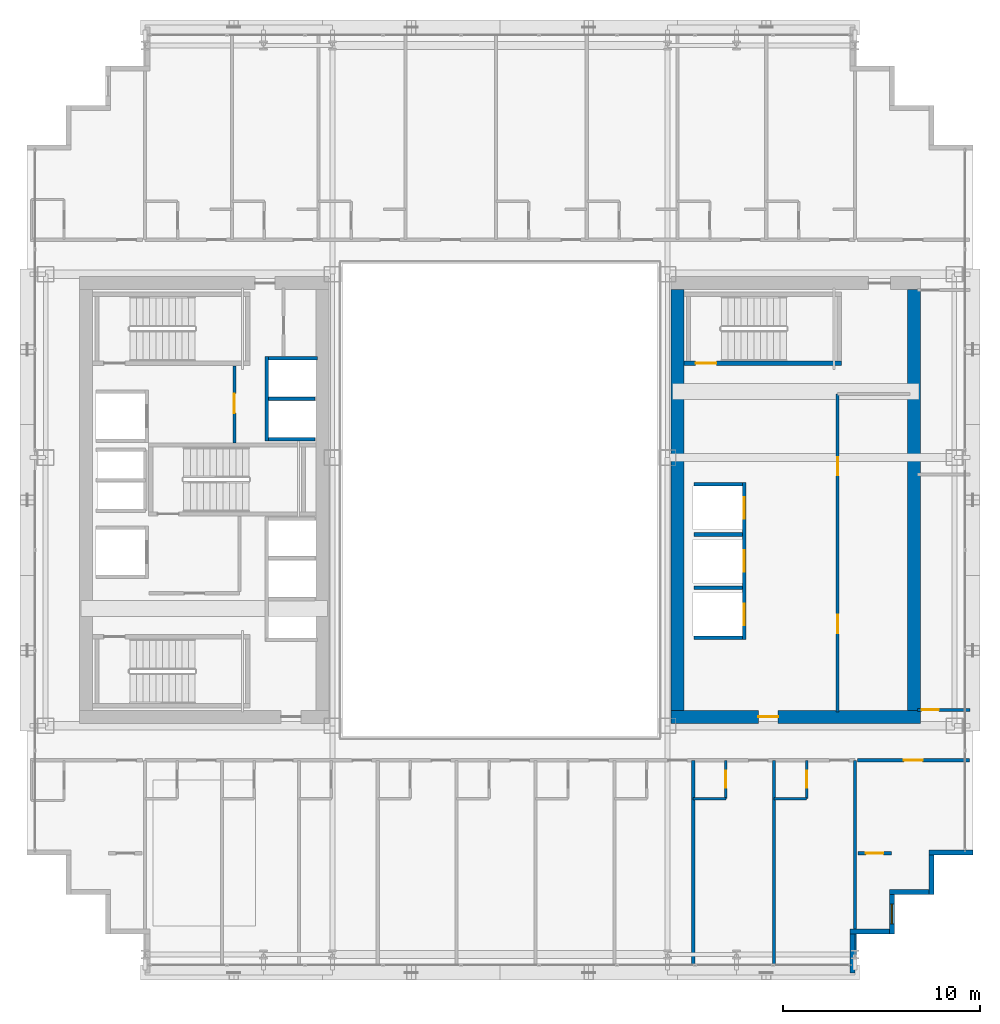
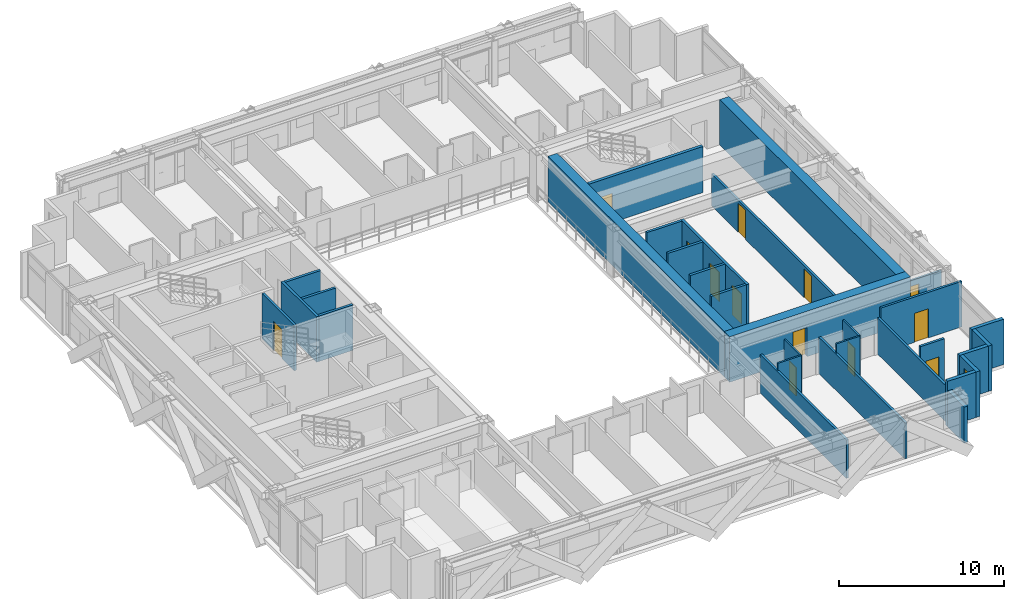
# One storey, part 29 of 36: 31 walls, 13 doors, 1 window, 14 openings.
"""IFC4 building model written with IfcOpenShell, lengths in metres."""

import ifcopenshell
import ifcopenshell.guid

model = None  # the IFC model being written
_history = None  # IfcOwnerHistory: only IFC2X3 demands one
_inside = {}  # id of a spatial element -> (the spatial element, [elements in it])
_under = {}  # id of a project, library or spatial element -> (it, [spatial elements below it])
_declared = {}  # id of a project -> (the project, [libraries it declares])
_typed = {}  # id of a type object -> (the type object, [elements of that type])
_made_of = {}  # id of a material, layer set ... -> (it, [elements and type objects made of it])


def new_model(schema):
    """Start an empty IFC model of exactly this schema.

    Asked for "IFC4X3", IfcOpenShell would pick the latest addendum, in which some entities
    have other attributes; the version numbers below select the first issue.
    IFC2X3 requires an IfcOwnerHistory on every rooted entity: one is made here for all.
    """
    global model, _history
    if schema == "IFC4X3":
        model = ifcopenshell.file(schema_version=(4, 3, 0, 0))
    else:
        model = ifcopenshell.file(schema=schema)
    _inside.clear()
    _under.clear()
    _declared.clear()
    _typed.clear()
    _made_of.clear()
    _history = None
    if model.schema == "IFC2X3":
        org = make("IfcOrganization", Name="unknown")
        user = make(
            "IfcPersonAndOrganization",
            ThePerson=make("IfcPerson", FamilyName="unknown"),
            TheOrganization=org,
        )
        app = make(
            "IfcApplication",
            ApplicationDeveloper=org,
            Version="unknown",
            ApplicationFullName="unknown",
            ApplicationIdentifier="unknown",
        )
        _history = make(
            "IfcOwnerHistory",
            OwningUser=user,
            OwningApplication=app,
            ChangeAction="ADDED",
            CreationDate=0,
        )
    return model


def make(cls, **values):
    """One entity of the class cls with the attributes given. An attribute that is None is left unset."""
    return model.create_entity(
        cls, **{name: value for name, value in values.items() if value is not None}
    )


def rooted(cls, **values):
    """An entity with a GlobalId (a new one), such as an element, a storey or a relation."""
    return make(cls, GlobalId=ifcopenshell.guid.new(), OwnerHistory=_history, **values)


def si_unit(unit_type, name, prefix=None):
    """IfcSIUnit, for example si_unit("LENGTHUNIT", "METRE", prefix="MILLI")."""
    return make("IfcSIUnit", UnitType=unit_type, Prefix=prefix, Name=name)


def assignment(units):
    """IfcUnitAssignment: the units of a project."""
    return None if units is None else make("IfcUnitAssignment", Units=units)


def point(xyz):
    """IfcCartesianPoint."""
    return None if xyz is None else make("IfcCartesianPoint", Coordinates=xyz)


def direction(xyz):
    """IfcDirection."""
    return None if xyz is None else make("IfcDirection", DirectionRatios=xyz)


def frame(location, z_axis=None, x_axis=None):
    """IfcAxis2Placement3D, a coordinate frame: its origin and axes. An axis left out is left unset."""
    return make(
        "IfcAxis2Placement3D",
        Location=point(location),
        Axis=direction(z_axis),
        RefDirection=direction(x_axis),
    )


def frame_2d(location, x_axis=None):
    """IfcAxis2Placement2D, a coordinate frame in the plane: its origin and x axis."""
    return make(
        "IfcAxis2Placement2D", Location=point(location), RefDirection=direction(x_axis)
    )


def origin():
    """The frame at (0, 0, 0) with its axes left unset."""
    return frame((0.0, 0.0, 0.0))


def place(relative_to, where):
    """IfcLocalPlacement: puts the frame where relative to a parent placement (None: the world)."""
    return make(
        "IfcLocalPlacement", PlacementRelTo=relative_to, RelativePlacement=where
    )


def context(
    kind, dimensions, precision=None, world=None, true_north=None, identifier=None
):
    """IfcGeometricRepresentationContext, for example the 3D "Model" context."""
    return make(
        "IfcGeometricRepresentationContext",
        ContextIdentifier=identifier,
        ContextType=kind,
        CoordinateSpaceDimension=dimensions,
        Precision=precision,
        WorldCoordinateSystem=world,
        TrueNorth=true_north,
    )


def subcontext(parent, identifier, kind, view, scale=None):
    """IfcGeometricRepresentationSubContext, for example "Body" below "Model"."""
    return make(
        "IfcGeometricRepresentationSubContext",
        ContextIdentifier=identifier,
        ContextType=kind,
        ParentContext=parent,
        TargetScale=scale,
        TargetView=view,
    )


def project(units=None, contexts=None):
    """IfcProject with its units and contexts."""
    return rooted(
        "IfcProject",
        Name="project",
        RepresentationContexts=contexts,
        UnitsInContext=assignment(units),
    )


def spatial(cls, under=None, at=None, **own):
    """A site, building, storey or space (cls), placed at a placement, below another one or the project."""
    s = rooted(cls, ObjectPlacement=at, **own)
    if under is not None:
        _under.setdefault(under.id(), (under, []))[1].append(s)
    return s


def profile(cls, at=None, kind="AREA", **sizes):
    """A parametric profile (cls). Its sizes go by their IFC names, for example OverallWidth=200.0."""
    return make(cls, ProfileType=kind, Position=at, **sizes)


def rectangle(**sizes):
    """IfcRectangleProfileDef."""
    return profile("IfcRectangleProfileDef", **sizes)


def extrude(swept, where, along, depth):
    """IfcExtrudedAreaSolid: the profile swept, set in the frame where, extruded along a direction by depth."""
    return make(
        "IfcExtrudedAreaSolid",
        SweptArea=swept,
        Position=where,
        ExtrudedDirection=direction(along),
        Depth=depth,
    )


def shape(context_of_items, identifier, shape_type, items):
    """IfcShapeRepresentation: the items that make up one representation, for example the "Body"."""
    return make(
        "IfcShapeRepresentation",
        ContextOfItems=context_of_items,
        RepresentationIdentifier=identifier,
        RepresentationType=shape_type,
        Items=items,
    )


def source(mapping_origin, context_of_items, identifier, shape_type, items):
    """IfcRepresentationMap: a shape defined once, which mapped items show again and again."""
    return make(
        "IfcRepresentationMap",
        MappingOrigin=mapping_origin,
        MappedRepresentation=shape(context_of_items, identifier, shape_type, items),
    )


def transform(
    local_origin,
    x_axis=None,
    y_axis=None,
    z_axis=None,
    scale=None,
    scale2=None,
    scale3=None,
    uniform=True,
):
    """IfcCartesianTransformationOperator3D, or its non-uniform kind. x_axis, y_axis, z_axis: its Axis1, 2, 3."""
    if uniform:
        return make(
            "IfcCartesianTransformationOperator3D",
            Axis1=direction(x_axis),
            Axis2=direction(y_axis),
            LocalOrigin=point(local_origin),
            Scale=scale,
            Axis3=direction(z_axis),
        )
    return make(
        "IfcCartesianTransformationOperator3DnonUniform",
        Axis1=direction(x_axis),
        Axis2=direction(y_axis),
        LocalOrigin=point(local_origin),
        Scale=scale,
        Axis3=direction(z_axis),
        Scale2=scale2,
        Scale3=scale3,
    )


def mapped(mapping_source, mapping_target):
    """IfcMappedItem: shows the shape of a source again, moved by a transform."""
    return make(
        "IfcMappedItem", MappingSource=mapping_source, MappingTarget=mapping_target
    )


def material(Name=None, Category=None):
    """IfcMaterial."""
    return make("IfcMaterial", Name=Name, Category=Category)


def layer(
    of_material, thickness, ventilated=None, Name=None, Category=None, Priority=None
):
    """IfcMaterialLayer: one layer of a wall or slab, of a material (None: an air gap)."""
    return make(
        "IfcMaterialLayer",
        Material=of_material,
        LayerThickness=thickness,
        IsVentilated=ventilated,
        Name=Name,
        Category=Category,
        Priority=Priority,
    )


def layer_set(layers, Name=None):
    """IfcMaterialLayerSet."""
    return make("IfcMaterialLayerSet", MaterialLayers=layers, LayerSetName=Name)


def made_of(thing, what):
    """Note that an element or type object is made of a material, layer set ...; save() writes the relation."""
    if what is not None:
        _made_of.setdefault(what.id(), (what, []))[1].append(thing)
    return thing


def type_object(cls, material=None, **own):
    """A type object (cls), such as IfcWallType, which elements share."""
    return made_of(rooted(cls, **own), material)


def element(
    cls,
    number,
    at=None,
    inside=None,
    cuts=None,
    type_object=None,
    material=None,
    context=None,
    identifier="Body",
    shape_type=None,
    held_by="IfcProductDefinitionShape",
    body=None,
    shapes=None,
    **own,
):
    """One element of the class cls, such as IfcWall. Its Tag is "e" and its number.

    at: its placement. inside: the storey or other place that contains it. cuts: it is an
    opening in that element (IfcRelVoidsElement). A single representation is given by context,
    identifier, shape_type and body (its items); several are given by shapes. held_by: the class
    of the entity that holds the representations. save() writes the other relations.
    """
    e = rooted(cls, Tag="e%d" % number, ObjectPlacement=at, **own)
    if body is not None:
        shapes = [shape(context, identifier, shape_type, body)]
    if shapes is not None:
        e.Representation = make(held_by, Representations=shapes)
    if inside is not None:
        _inside.setdefault(inside.id(), (inside, []))[1].append(e)
    if cuts is not None:
        rooted(
            "IfcRelVoidsElement", RelatingBuildingElement=cuts, RelatedOpeningElement=e
        )
    if type_object is not None:
        _typed.setdefault(type_object.id(), (type_object, []))[1].append(e)
    return made_of(e, material)


def fill(opening, filler):
    """IfcRelFillsElement: the door or window that sits in an opening."""
    return rooted(
        "IfcRelFillsElement",
        RelatingOpeningElement=opening,
        RelatedBuildingElement=filler,
    )


def aggregate(whole, parts):
    """IfcRelAggregates: a whole, such as a stair, and the parts it consists of."""
    return rooted("IfcRelAggregates", RelatingObject=whole, RelatedObjects=parts)


def save(model, path):
    """Write the relations noted so far, then the file.

    IfcRelAggregates (storeys below a building ...), IfcRelContainedInSpatialStructure (elements
    in a storey), IfcRelDefinesByType, IfcRelAssociatesMaterial and IfcRelDeclares: one each for
    every whole, place, type object, material and project.
    """
    for whole, parts in _under.values():
        aggregate(whole, parts)
    for where, things in _inside.values():
        rooted(
            "IfcRelContainedInSpatialStructure",
            RelatedElements=things,
            RelatingStructure=where,
        )
    for kind, things in _typed.values():
        rooted("IfcRelDefinesByType", RelatedObjects=things, RelatingType=kind)
    for what, things in _made_of.values():
        rooted("IfcRelAssociatesMaterial", RelatedObjects=things, RelatingMaterial=what)
    for by, libraries in _declared.values():
        rooted("IfcRelDeclares", RelatingContext=by, RelatedDefinitions=libraries)
    model.write(path)


model = new_model("IFC4")

# Units and contexts
model_context = context("Model", 3, precision=1e-05, world=origin(), true_north=direction((0.0, 1.0)))
body_context = subcontext(model_context, "Body", "Model", "MODEL_VIEW")
ifc_project = project(units=[si_unit("LENGTHUNIT", "METRE"), si_unit("AREAUNIT", "SQUARE_METRE"), si_unit("VOLUMEUNIT", "CUBIC_METRE"), si_unit("PLANEANGLEUNIT", "RADIAN"), si_unit("MASSUNIT", "GRAM", prefix="KILO")], contexts=[model_context])

# Site, building, storey
site_placement = place(None, origin())
site = spatial("IfcSite", under=ifc_project, at=site_placement, CompositionType="ELEMENT")
building_placement = place(site_placement, origin())
building = spatial("IfcBuilding", under=site, at=building_placement, Name="Ocotamira Hotel", CompositionType="ELEMENT")
storey_placement = place(building_placement, frame((0.0, 0.0, 133.199951171875)))
storey = spatial("IfcBuildingStorey", under=building, at=storey_placement, Name="L33", CompositionType="ELEMENT", Elevation=133.199951171875)

# Wall, opening, door
ifc_material_1 = material(Name="Concrete C60/75", Category="concrete")
ifc_layer_1 = layer(ifc_material_1, 0.64990234375)
ifc_layer_set_1 = layer_set([ifc_layer_1], Name="Concrete C60/75")
wall_type_1 = type_object("IfcWallType", Name="WL-CORE-650", PredefinedType="SHEAR", material=ifc_layer_set_1)
wall_1_placement = place(storey_placement, frame((40.675048828125, 15.0, 0.0), z_axis=(0.0, 0.0, 1.0), x_axis=(1.0, 0.0, 0.0)))
wall_1 = element("IfcWall", 1, at=wall_1_placement, inside=storey, type_object=wall_type_1, Name="L33 Shear Core Wall ECORE-S", PredefinedType="SHEAR", context=body_context, shape_type="SweptSolid", body=[
    extrude(rectangle(XDim=12.64990234375, YDim=0.64990234375, at=frame_2d((6.324951171875, 0.0))), origin(), (0.0, 0.0, 1.0), 3.360107421875),
])
opening_1_placement = place(wall_1_placement, frame((4.425048828125, 0.0, 0.0)))
opening_1 = element("IfcOpeningElement", 2, at=opening_1_placement, cuts=wall_1, Name="Opening D-FR2", PredefinedType="OPENING", context=body_context, shape_type="SweptSolid", body=[
    extrude(rectangle(XDim=1.0, YDim=2.14990234375, at=frame_2d((0.5, 1.074951171875))), frame((0.0, 0.3349609375, 0.0), z_axis=(0.0, -1.0, 0.0), x_axis=(1.0, 0.0, 0.0)), (0.0, 0.0, 1.0), 0.669921875),
])
ifc_material_2 = material(Name="Fire-rated acoustic timber-veneer door", Category="wood")
door_type_1 = type_object("IfcDoorType", Name="DR-FIRE-1000", OperationType="NOTDEFINED", PredefinedType="DOOR", material=ifc_material_2)
shared_shape_1 = source(origin(), body_context, "Body", "SweptSolid", [
    extrude(rectangle(XDim=1.0, YDim=2.14990234375, at=frame_2d((0.5, 1.074951171875))), frame((0.0, 0.02490234375, 0.0), z_axis=(0.0, -1.0, 0.0), x_axis=(1.0, 0.0, 0.0)), (0.0, 0.0, 1.0), 0.050048828125),
])
door_1_placement = place(opening_1_placement, origin())
door_1 = element("IfcDoor", 3, at=door_1_placement, inside=storey, type_object=door_type_1, Name="L33 Door ID-L33-ELOB-S-D [ID-L33-ELOB-S-D]", OperationType="SINGLE_SWING_RIGHT", OverallHeight=2.14990234375, OverallWidth=1.0, PredefinedType="DOOR", context=body_context, shape_type="MappedRepresentation", body=[
    mapped(shared_shape_1, transform((0.0, 0.0, 0.0), scale=1.0)),
])
fill(opening_1, door_1)

# Walls
for number, where, z_axis, x_axis, name in (
    (4, (41.0, 15.324951171875, 0.0), (0.0, 0.0, 1.0), (0.0, 1.0, 0.0), "L33 Shear Core Wall ECORE-W"),
    (5, (53.0, 15.324951171875, 0.0), (0.0, 0.0, 1.0), (0.0, 1.0, 0.0), "L33 Shear Core Wall ECORE-E"),
):
    element("IfcWall", number, at=place(storey_placement, frame(where, z_axis=z_axis, x_axis=x_axis)), inside=storey, type_object=wall_type_1, Name=name, PredefinedType="SHEAR", context=body_context, shape_type="SweptSolid", body=[
        extrude(rectangle(XDim=21.35009765625, YDim=0.64990234375, at=frame_2d((10.675048828125, 0.0))), origin(), (0.0, 0.0, 1.0), 3.360107421875),
    ])
ifc_material_3 = material(Name="Precast concrete C45/55", Category="concrete")
ifc_layer_2 = layer(ifc_material_3, 0.25)
ifc_layer_set_2 = layer_set([ifc_layer_2], Name="Precast concrete C45/55")
wall_type_2 = type_object("IfcWallType", Name="WL-EXT-SER-250", PredefinedType="SOLIDWALL", material=ifc_layer_set_2)
wall_2_placement = place(storey_placement, frame((49.875, 2.0, 0.0), z_axis=(0.0, 0.0, 1.0), x_axis=(0.0, 1.0, 0.0)))
element("IfcWall", 6, at=wall_2_placement, inside=storey, type_object=wall_type_2, Name="L33 Serrated Corner Wall 01", PredefinedType="SOLIDWALL", context=body_context, shape_type="SweptSolid", body=[
    extrude(rectangle(XDim=2.0, YDim=0.25, at=frame_2d((1.0, 0.0))), origin(), (0.0, 0.0, 1.0), 2.6669921875),
])
wall_3_placement = place(storey_placement, frame((49.75, 4.125, 0.0), z_axis=(0.0, 0.0, 1.0), x_axis=(1.0, 0.0, 0.0)))
element("IfcWall", 7, at=wall_3_placement, inside=storey, type_object=wall_type_2, Name="L33 Serrated Corner Wall 02", PredefinedType="SOLIDWALL", context=body_context, shape_type="SweptSolid", body=[
    extrude(rectangle(XDim=2.0, YDim=0.25, at=frame_2d((1.0, 0.0))), origin(), (0.0, 0.0, 1.0), 3.360107421875),
])

# Wall, opening, window
wall_4_placement = place(storey_placement, frame((51.875, 4.0, 0.0), z_axis=(0.0, 0.0, 1.0), x_axis=(0.0, 1.0, 0.0)))
wall_4 = element("IfcWall", 8, at=wall_4_placement, inside=storey, type_object=wall_type_2, Name="L33 Serrated Corner Wall 03", PredefinedType="SOLIDWALL", context=body_context, shape_type="SweptSolid", body=[
    extrude(rectangle(XDim=2.0, YDim=0.25, at=frame_2d((1.0, 0.0))), origin(), (0.0, 0.0, 1.0), 3.360107421875),
])
opening_2_placement = place(wall_4_placement, frame((0.5, 0.0, 0.85009765625)))
opening_2 = element("IfcOpeningElement", 9, at=opening_2_placement, cuts=wall_4, Name="Opening WN-2", PredefinedType="OPENING", context=body_context, shape_type="SweptSolid", body=[
    extrude(rectangle(XDim=1.0, YDim=1.89990234375, at=frame_2d((0.5, 0.949951171875))), frame((0.0, 0.135009765625, 0.0), z_axis=(0.0, -1.0, 0.0), x_axis=(1.0, 0.0, 0.0)), (0.0, 0.0, 1.0), 0.27001953125),
])
ifc_material_4 = material(Name="Double-silver low-E solar glass", Category="glass")
window_type = type_object("IfcWindowType", Name="WIN-SER-1100", PartitioningType="SINGLE_PANEL", PredefinedType="WINDOW", material=ifc_material_4)
shared_shape_2 = source(origin(), body_context, "Body", "SweptSolid", [
    extrude(rectangle(XDim=1.0, YDim=1.89990234375, at=frame_2d((0.5, 0.949951171875))), frame((0.0, 0.030029296875, 0.0), z_axis=(0.0, -1.0, 0.0), x_axis=(1.0, 0.0, 0.0)), (0.0, 0.0, 1.0), 0.06005859375),
])
window_placement = place(opening_2_placement, origin())
window = element("IfcWindow", 10, at=window_placement, inside=storey, type_object=window_type, Name="L33 Serrated Corner Window 03", OverallHeight=1.89990234375, OverallWidth=1.0, PartitioningType="SINGLE_PANEL", PredefinedType="WINDOW", context=body_context, shape_type="MappedRepresentation", body=[
    mapped(shared_shape_2, transform((0.0, 0.0, 0.0), scale=1.0)),
])
fill(opening_2, window)

# Walls
for number, where, z_axis, x_axis, name in (
    (11, (51.75, 6.125, 0.0), (0.0, 0.0, 1.0), (1.0, 0.0, 0.0), "L33 Serrated Corner Wall 04"),
    (12, (53.875, 6.0, 0.0), (0.0, 0.0, 1.0), (0.0, 1.0, 0.0), "L33 Serrated Corner Wall 05"),
):
    element("IfcWall", number, at=place(storey_placement, frame(where, z_axis=z_axis, x_axis=x_axis)), inside=storey, type_object=wall_type_2, Name=name, PredefinedType="SOLIDWALL", context=body_context, shape_type="SweptSolid", body=[
        extrude(rectangle(XDim=2.0, YDim=0.25, at=frame_2d((1.0, 0.0))), origin(), (0.0, 0.0, 1.0), 3.360107421875),
    ])
wall_5_placement = place(storey_placement, frame((53.75, 8.125, 0.0), z_axis=(0.0, 0.0, 1.0), x_axis=(1.0, 0.0, 0.0)))
element("IfcWall", 13, at=wall_5_placement, inside=storey, type_object=wall_type_2, Name="L33 Serrated Corner Wall 06", PredefinedType="SOLIDWALL", context=body_context, shape_type="SweptSolid", body=[
    extrude(rectangle(XDim=2.25, YDim=0.25, at=frame_2d((1.125, 0.0))), origin(), (0.0, 0.0, 1.0), 3.360107421875),
])

# Wall, opening, door
ifc_material_5 = material(Name="Acoustic double-layer fire gypsum board partition", Category="gypsum")
ifc_layer_3 = layer(ifc_material_5, 0.159912109375)
ifc_layer_set_3 = layer_set([ifc_layer_3], Name="Acoustic double-layer fire gypsum board partition")
wall_type_3 = type_object("IfcWallType", Name="WL-FIRE-160", PredefinedType="PARTITIONING", material=ifc_layer_set_3)
wall_6_placement = place(storey_placement, frame((18.530029296875, 28.89990234375, 0.0), z_axis=(0.0, 0.0, 1.0), x_axis=(0.0, 1.0, 0.0)))
wall_6 = element("IfcWall", 14, at=wall_6_placement, inside=storey, type_object=wall_type_3, Name="L33 Interior Wall PW-L33-FSAE2-E", PredefinedType="PARTITIONING", context=body_context, shape_type="SweptSolid", body=[
    extrude(rectangle(XDim=3.900146484375, YDim=0.159912109375, at=frame_2d((1.9501953125, 0.0))), origin(), (0.0, 0.0, 1.0), 3.360107421875),
])
opening_3_placement = place(wall_6_placement, frame((1.5, 0.0, 0.0)))
opening_3 = element("IfcOpeningElement", 15, at=opening_3_placement, cuts=wall_6, Name="Opening D-FR2", PredefinedType="OPENING", context=body_context, shape_type="SweptSolid", body=[
    extrude(rectangle(XDim=1.0, YDim=2.14990234375, at=frame_2d((0.5, 1.074951171875))), frame((0.0, 0.08984375, 0.0), z_axis=(0.0, -1.0, 0.0), x_axis=(1.0, 0.0, 0.0)), (0.0, 0.0, 1.0), 0.179931640625),
])
door_2_placement = place(opening_3_placement, origin())
door_2 = element("IfcDoor", 16, at=door_2_placement, inside=storey, type_object=door_type_1, Name="L33 Door ID-L33-FSAE2-D [ID-L33-FSAE2-D]", OperationType="SINGLE_SWING_RIGHT", OverallHeight=2.14990234375, OverallWidth=1.0, PredefinedType="DOOR", context=body_context, shape_type="MappedRepresentation", body=[
    mapped(shared_shape_1, transform((0.0, 0.0, 0.0), scale=1.0)),
])
fill(opening_3, door_2)

# Wall, openings, doors
wall_7_placement = place(storey_placement, frame((49.1201171875, 15.25, 0.0), z_axis=(0.0, 0.0, 1.0), x_axis=(0.0, 1.0, 0.0)))
wall_7 = element("IfcWall", 17, at=wall_7_placement, inside=storey, type_object=wall_type_3, Name="L33 Interior Wall PW-L33-EC-FLOW-W", PredefinedType="PARTITIONING", context=body_context, shape_type="SweptSolid", body=[
    extrude(rectangle(XDim=16.1298828125, YDim=0.159912109375, at=frame_2d((8.06494140625, 0.0))), origin(), (0.0, 0.0, 1.0), 2.360107421875),
])
opening_4_placement = place(wall_7_placement, frame((4.0, 0.0, 0.0)))
opening_4 = element("IfcOpeningElement", 18, at=opening_4_placement, cuts=wall_7, Name="Opening D-SV3", PredefinedType="OPENING", context=body_context, shape_type="SweptSolid", body=[
    extrude(rectangle(XDim=0.919921875, YDim=2.14990234375, at=frame_2d((0.4599609375, 1.074951171875))), frame((0.0, 0.08984375, 0.0), z_axis=(0.0, -1.0, 0.0), x_axis=(1.0, 0.0, 0.0)), (0.0, 0.0, 1.0), 0.179931640625),
])
opening_5_placement = place(wall_7_placement, frame((12.0, 0.0, 0.0)))
opening_5 = element("IfcOpeningElement", 19, at=opening_5_placement, cuts=wall_7, Name="Opening D-SV3", PredefinedType="OPENING", context=body_context, shape_type="SweptSolid", body=[
    extrude(rectangle(XDim=0.919921875, YDim=2.14990234375, at=frame_2d((0.4599609375, 1.074951171875))), frame((0.0, 0.08984375, 0.0), z_axis=(0.0, -1.0, 0.0), x_axis=(1.0, 0.0, 0.0)), (0.0, 0.0, 1.0), 0.179931640625),
])
ifc_material_6 = material(Name="Fire-rated walnut hospitality door", Category="wood")
door_type_2 = type_object("IfcDoorType", Name="DR-SERV-920", OperationType="NOTDEFINED", PredefinedType="DOOR", material=ifc_material_6)
shared_shape_3 = source(origin(), body_context, "Body", "SweptSolid", [
    extrude(rectangle(XDim=0.919921875, YDim=2.14990234375, at=frame_2d((0.4599609375, 1.074951171875))), frame((0.0, 0.02490234375, 0.0), z_axis=(0.0, -1.0, 0.0), x_axis=(1.0, 0.0, 0.0)), (0.0, 0.0, 1.0), 0.050048828125),
])
door_3_placement = place(opening_4_placement, origin())
door_3 = element("IfcDoor", 20, at=door_3_placement, inside=storey, type_object=door_type_2, Name="L33 Door ID-L33-EC-FLOW-D1 [ID-L33-EC-FLOW-D1]", OperationType="SINGLE_SWING_LEFT", OverallHeight=2.14990234375, OverallWidth=0.919921875, PredefinedType="DOOR", context=body_context, shape_type="MappedRepresentation", body=[
    mapped(shared_shape_3, transform((0.0, 0.0, 0.0), scale=1.0)),
])
fill(opening_4, door_3)
door_4_placement = place(opening_5_placement, origin())
door_4 = element("IfcDoor", 21, at=door_4_placement, inside=storey, type_object=door_type_2, Name="L33 Door ID-L33-EC-FLOW-D2 [ID-L33-EC-FLOW-D2]", OperationType="SINGLE_SWING_RIGHT", OverallHeight=2.14990234375, OverallWidth=0.919921875, PredefinedType="DOOR", context=body_context, shape_type="MappedRepresentation", body=[
    mapped(shared_shape_3, transform((0.0, 0.0, 0.0), scale=1.0)),
])
fill(opening_5, door_4)

# Wall, opening, door
wall_8_placement = place(storey_placement, frame((50.1201171875, 12.800048828125, 0.0), z_axis=(0.0, 0.0, 1.0), x_axis=(1.0, 0.0, 0.0)))
wall_8 = element("IfcWall", 22, at=wall_8_placement, inside=storey, type_object=wall_type_3, Name="L33 Interior Wall PW-L33-Z2D-CSE-CW", PredefinedType="PARTITIONING", context=body_context, shape_type="SweptSolid", body=[
    extrude(rectangle(XDim=5.679931640625, YDim=0.159912109375, at=frame_2d((2.83984375, 0.0))), origin(), (0.0, 0.0, 1.0), 3.360107421875),
])
opening_6_placement = place(wall_8_placement, frame((2.360107421875, 0.0, 0.0)))
opening_6 = element("IfcOpeningElement", 23, at=opening_6_placement, cuts=wall_8, Name="Opening D-SV4", PredefinedType="OPENING", context=body_context, shape_type="SweptSolid", body=[
    extrude(rectangle(XDim=0.9599609375, YDim=2.14990234375, at=frame_2d((0.47998046875, 1.074951171875))), frame((0.0, 0.08984375, 0.0), z_axis=(0.0, -1.0, 0.0), x_axis=(1.0, 0.0, 0.0)), (0.0, 0.0, 1.0), 0.179931640625),
])
ifc_material_7 = material(Name="Fire-rated accessible walnut salon door", Category="wood")
door_type_3 = type_object("IfcDoorType", Name="DR-SERV-960", OperationType="NOTDEFINED", PredefinedType="DOOR", material=ifc_material_7)
shared_shape_4 = source(origin(), body_context, "Body", "SweptSolid", [
    extrude(rectangle(XDim=0.9599609375, YDim=2.14990234375, at=frame_2d((0.47998046875, 1.074951171875))), frame((0.0, 0.02490234375, 0.0), z_axis=(0.0, -1.0, 0.0), x_axis=(1.0, 0.0, 0.0)), (0.0, 0.0, 1.0), 0.050048828125),
])
door_5_placement = place(opening_6_placement, origin())
door_5 = element("IfcDoor", 24, at=door_5_placement, inside=storey, type_object=door_type_3, Name="L33 Door ID-L33-Z2D-CSE-CD [ID-L33-Z2D-CSE-CD]", OperationType="SINGLE_SWING_LEFT", OverallHeight=2.14990234375, OverallWidth=0.9599609375, PredefinedType="DOOR", context=body_context, shape_type="MappedRepresentation", body=[
    mapped(shared_shape_4, transform((0.0, 0.0, 0.0), scale=1.0)),
])
fill(opening_6, door_5)

wall_9_placement = place(storey_placement, frame((50.14990234375, 8.080078125, 0.0), z_axis=(0.0, 0.0, 1.0), x_axis=(1.0, 0.0, 0.0)))
wall_9 = element("IfcWall", 25, at=wall_9_placement, inside=storey, type_object=wall_type_3, Name="L33 Interior Wall PW-L33-Z2D-CSE2-CW", PredefinedType="PARTITIONING", context=body_context, shape_type="SweptSolid", body=[
    extrude(rectangle(XDim=1.7001953125, YDim=0.159912109375, at=frame_2d((0.85009765625, 0.0))), origin(), (0.0, 0.0, 1.0), 3.360107421875),
])
opening_7_placement = place(wall_9_placement, frame((0.409912109375, 0.0, 0.0)))
opening_7 = element("IfcOpeningElement", 26, at=opening_7_placement, cuts=wall_9, Name="Opening D-SV2", PredefinedType="OPENING", context=body_context, shape_type="SweptSolid", body=[
    extrude(rectangle(XDim=0.8798828125, YDim=2.14990234375, at=frame_2d((0.43994140625, 1.074951171875))), frame((0.0, 0.08984375, 0.0), z_axis=(0.0, -1.0, 0.0), x_axis=(1.0, 0.0, 0.0)), (0.0, 0.0, 1.0), 0.179931640625),
])
ifc_material_8 = material(Name="Fire-rated painted steel service door", Category="steel")
door_type_4 = type_object("IfcDoorType", Name="DR-SERV-880", OperationType="NOTDEFINED", PredefinedType="DOOR", material=ifc_material_8)
shared_shape_5 = source(origin(), body_context, "Body", "SweptSolid", [
    extrude(rectangle(XDim=0.8798828125, YDim=2.14990234375, at=frame_2d((0.43994140625, 1.074951171875))), frame((0.0, 0.02490234375, 0.0), z_axis=(0.0, -1.0, 0.0), x_axis=(1.0, 0.0, 0.0)), (0.0, 0.0, 1.0), 0.050048828125),
])
door_6_placement = place(opening_7_placement, origin())
door_6 = element("IfcDoor", 27, at=door_6_placement, inside=storey, type_object=door_type_4, Name="L33 Door ID-L33-Z2D-CSE2-CD [ID-L33-Z2D-CSE2-CD]", OperationType="SINGLE_SWING_LEFT", OverallHeight=2.14990234375, OverallWidth=0.8798828125, PredefinedType="DOOR", context=body_context, shape_type="MappedRepresentation", body=[
    mapped(shared_shape_5, transform((0.0, 0.0, 0.0), scale=1.0)),
])
fill(opening_7, door_6)

ifc_material_9 = material(Name="Moisture-resistant en-suite tile and gypsum partition", Category="gypsum")
ifc_layer_4 = layer(ifc_material_9, 0.1201171875)
ifc_layer_set_4 = layer_set([ifc_layer_4], Name="Moisture-resistant en-suite tile and gypsum partition")
wall_type_4 = type_object("IfcWallType", Name="WL-PART-120", PredefinedType="PARTITIONING", material=ifc_layer_set_4)
wall_10_placement = place(storey_placement, frame((43.449951171875, 10.85009765625, 0.0), z_axis=(0.0, 0.0, 1.0), x_axis=(0.0, 1.0, 0.0)))
wall_10 = element("IfcWall", 28, at=wall_10_placement, inside=storey, type_object=wall_type_4, Name="L33 Interior Wall PW-L33-Z2DS-BAE8", PredefinedType="PARTITIONING", context=body_context, shape_type="SweptSolid", body=[
    extrude(rectangle(XDim=1.949951171875, YDim=0.1201171875, at=frame_2d((0.97509765625, 0.0))), origin(), (0.0, 0.0, 1.0), 3.360107421875),
])
opening_8_placement = place(wall_10_placement, frame((0.544921875, 0.0, 0.0)))
opening_8 = element("IfcOpeningElement", 29, at=opening_8_placement, cuts=wall_10, Name="Opening D-BA1", PredefinedType="OPENING", context=body_context, shape_type="SweptSolid", body=[
    extrude(rectangle(XDim=0.860107421875, YDim=2.10009765625, at=frame_2d((0.43017578125, 1.050048828125))), frame((0.0, 0.070068359375, 0.0), z_axis=(0.0, -1.0, 0.0), x_axis=(1.0, 0.0, 0.0)), (0.0, 0.0, 1.0), 0.14013671875),
])
ifc_material_10 = material(Name="Moisture-sealed en-suite timber door", Category="wood")
door_type_5 = type_object("IfcDoorType", Name="DR-BATH-860", OperationType="NOTDEFINED", PredefinedType="DOOR", material=ifc_material_10)
shared_shape_6 = source(origin(), body_context, "Body", "SweptSolid", [
    extrude(rectangle(XDim=0.860107421875, YDim=2.10009765625, at=frame_2d((0.43017578125, 1.050048828125))), frame((0.0, 0.02490234375, 0.0), z_axis=(0.0, -1.0, 0.0), x_axis=(1.0, 0.0, 0.0)), (0.0, 0.0, 1.0), 0.050048828125),
])
door_7_placement = place(opening_8_placement, origin())
door_7 = element("IfcDoor", 30, at=door_7_placement, inside=storey, type_object=door_type_5, Name="L33 Door ID-L33-Z2DS-BAD8 [ID-L33-Z2DS-BAD8]", OperationType="SINGLE_SWING_LEFT", OverallHeight=2.10009765625, OverallWidth=0.860107421875, PredefinedType="DOOR", context=body_context, shape_type="MappedRepresentation", body=[
    mapped(shared_shape_6, transform((0.0, 0.0, 0.0), scale=1.0)),
])
fill(opening_8, door_7)

# Wall
wall_11_placement = place(storey_placement, frame((41.800048828125, 10.85009765625, 0.0), z_axis=(0.0, 0.0, 1.0), x_axis=(1.0, 0.0, 0.0)))
element("IfcWall", 31, at=wall_11_placement, inside=storey, type_object=wall_type_4, Name="L33 Interior Wall PW-L33-Z2DS-BAS8", PredefinedType="PARTITIONING", context=body_context, shape_type="SweptSolid", body=[
    extrude(rectangle(XDim=1.64990234375, YDim=0.1201171875, at=frame_2d((0.824951171875, 0.0))), origin(), (0.0, 0.0, 1.0), 3.360107421875),
])

# Wall, opening, door
wall_12_placement = place(storey_placement, frame((47.550048828125, 10.85009765625, 0.0), z_axis=(0.0, 0.0, 1.0), x_axis=(0.0, 1.0, 0.0)))
wall_12 = element("IfcWall", 32, at=wall_12_placement, inside=storey, type_object=wall_type_4, Name="L33 Interior Wall PW-L33-Z2DS-BAE9", PredefinedType="PARTITIONING", context=body_context, shape_type="SweptSolid", body=[
    extrude(rectangle(XDim=1.949951171875, YDim=0.1201171875, at=frame_2d((0.97509765625, 0.0))), origin(), (0.0, 0.0, 1.0), 3.360107421875),
])
opening_9_placement = place(wall_12_placement, frame((0.544921875, 0.0, 0.0)))
opening_9 = element("IfcOpeningElement", 33, at=opening_9_placement, cuts=wall_12, Name="Opening D-BA1", PredefinedType="OPENING", context=body_context, shape_type="SweptSolid", body=[
    extrude(rectangle(XDim=0.860107421875, YDim=2.10009765625, at=frame_2d((0.43017578125, 1.050048828125))), frame((0.0, 0.070068359375, 0.0), z_axis=(0.0, -1.0, 0.0), x_axis=(1.0, 0.0, 0.0)), (0.0, 0.0, 1.0), 0.14013671875),
])
door_8_placement = place(opening_9_placement, origin())
door_8 = element("IfcDoor", 34, at=door_8_placement, inside=storey, type_object=door_type_5, Name="L33 Door ID-L33-Z2DS-BAD9 [ID-L33-Z2DS-BAD9]", OperationType="SINGLE_SWING_RIGHT", OverallHeight=2.10009765625, OverallWidth=0.860107421875, PredefinedType="DOOR", context=body_context, shape_type="MappedRepresentation", body=[
    mapped(shared_shape_6, transform((0.0, 0.0, 0.0), scale=1.0)),
])
fill(opening_9, door_8)

# Wall
wall_13_placement = place(storey_placement, frame((45.89990234375, 10.85009765625, 0.0), z_axis=(0.0, 0.0, 1.0), x_axis=(1.0, 0.0, 0.0)))
element("IfcWall", 35, at=wall_13_placement, inside=storey, type_object=wall_type_4, Name="L33 Interior Wall PW-L33-Z2DS-BAS9", PredefinedType="PARTITIONING", context=body_context, shape_type="SweptSolid", body=[
    extrude(rectangle(XDim=1.650146484375, YDim=0.1201171875, at=frame_2d((0.8251953125, 0.0))), origin(), (0.0, 0.0, 1.0), 3.360107421875),
])

# Wall, opening, door
ifc_material_11 = material(Name="Acoustic hospitality gypsum board partition", Category="gypsum")
ifc_layer_5 = layer(ifc_material_11, 0.14990234375)
ifc_layer_set_5 = layer_set([ifc_layer_5], Name="Acoustic hospitality gypsum board partition")
wall_type_5 = type_object("IfcWallType", Name="WL-PART-150", PredefinedType="PARTITIONING", material=ifc_layer_set_5)
wall_14_placement = place(storey_placement, frame((53.179931640625, 15.360107421875, 0.0), z_axis=(0.0, 0.0, 1.0), x_axis=(1.0, 0.0, 0.0)))
wall_14 = element("IfcWall", 36, at=wall_14_placement, inside=storey, type_object=wall_type_5, Name="L33 Interior Wall PW-L33-Z2D-EF-WS", PredefinedType="PARTITIONING", context=body_context, shape_type="SweptSolid", body=[
    extrude(rectangle(XDim=2.66015625, YDim=0.14990234375, at=frame_2d((1.330078125, 0.0))), origin(), (0.0, 0.0, 1.0), 2.5810546875),
])
opening_10_placement = place(wall_14_placement, frame((0.199951171875, 0.0, 0.0)))
opening_10 = element("IfcOpeningElement", 37, at=opening_10_placement, cuts=wall_14, Name="Opening D-SV2", PredefinedType="OPENING", context=body_context, shape_type="SweptSolid", body=[
    extrude(rectangle(XDim=0.8798828125, YDim=2.14990234375, at=frame_2d((0.43994140625, 1.074951171875))), frame((0.0, 0.0849609375, 0.0), z_axis=(0.0, -1.0, 0.0), x_axis=(1.0, 0.0, 0.0)), (0.0, 0.0, 1.0), 0.169921875),
])
door_9_placement = place(opening_10_placement, origin())
door_9 = element("IfcDoor", 38, at=door_9_placement, inside=storey, type_object=door_type_4, Name="L33 Door ID-L33-Z2D-EF-DS [ID-L33-Z2D-EF-DS]", OperationType="SINGLE_SWING_RIGHT", OverallHeight=2.14990234375, OverallWidth=0.8798828125, PredefinedType="DOOR", context=body_context, shape_type="MappedRepresentation", body=[
    mapped(shared_shape_5, transform((0.0, 0.0, 0.0), scale=1.0)),
])
fill(opening_10, door_9)

# Walls
ifc_material_12 = material(Name="Acoustic double-stud hospitality gypsum partition", Category="gypsum")
ifc_layer_6 = layer(ifc_material_12, 0.159912109375)
ifc_layer_set_6 = layer_set([ifc_layer_6], Name="Acoustic double-stud hospitality gypsum partition")
wall_type_6 = type_object("IfcWallType", Name="WL-PART-160", PredefinedType="PARTITIONING", material=ifc_layer_set_6)
wall_15_placement = place(storey_placement, frame((50.0, 2.360107421875, 0.0), z_axis=(0.0, 0.0, 1.0), x_axis=(0.0, 1.0, 0.0)))
element("IfcWall", 39, at=wall_15_placement, inside=storey, type_object=wall_type_6, Name="L33 Interior Wall PW-L33-Z2DS-PWEND", PredefinedType="PARTITIONING", context=body_context, shape_type="SweptSolid", body=[
    extrude(rectangle(XDim=10.43994140625, YDim=0.159912109375, at=frame_2d((5.219970703125, 0.0))), origin(), (0.0, 0.0, 1.0), 2.6669921875),
])
wall_16_placement = place(storey_placement, frame((41.800048828125, 2.360107421875, 0.0), z_axis=(0.0, 0.0, 1.0), x_axis=(0.0, 1.0, 0.0)))
element("IfcWall", 40, at=wall_16_placement, inside=storey, type_object=wall_type_6, Name="L33 Interior Wall PW-L33-Z2DS-PW7", PredefinedType="PARTITIONING", context=body_context, shape_type="SweptSolid", body=[
    extrude(rectangle(XDim=10.43994140625, YDim=0.159912109375, at=frame_2d((5.219970703125, 0.0))), origin(), (0.0, 0.0, 1.0), 2.822998046875),
])
wall_17_placement = place(storey_placement, frame((45.89990234375, 2.360107421875, 0.0), z_axis=(0.0, 0.0, 1.0), x_axis=(0.0, 1.0, 0.0)))
element("IfcWall", 41, at=wall_17_placement, inside=storey, type_object=wall_type_6, Name="L33 Interior Wall PW-L33-Z2DS-PW8", PredefinedType="PARTITIONING", context=body_context, shape_type="SweptSolid", body=[
    extrude(rectangle(XDim=10.43994140625, YDim=0.159912109375, at=frame_2d((5.219970703125, 0.0))), origin(), (0.0, 0.0, 1.0), 2.6669921875),
])

# Wall, openings, doors
ifc_material_13 = material(Name="Fire-rated gypsum shaftliner board assembly", Category="gypsum")
ifc_layer_7 = layer(ifc_material_13, 0.179931640625)
ifc_layer_set_7 = layer_set([ifc_layer_7], Name="Fire-rated gypsum shaftliner board assembly")
wall_type_7 = type_object("IfcWallType", Name="WL-SHAFT-180", PredefinedType="SOLIDWALL", material=ifc_layer_set_7)
wall_18_placement = place(storey_placement, frame((44.389892578125, 18.919921875, 0.0), z_axis=(0.0, 0.0, 1.0), x_axis=(0.0, 1.0, 0.0)))
wall_18 = element("IfcWall", 42, at=wall_18_placement, inside=storey, type_object=wall_type_7, Name="L33 Interior Wall PW-L33-LFW-BANK-mid-F", PredefinedType="SOLIDWALL", context=body_context, shape_type="SweptSolid", body=[
    extrude(rectangle(XDim=7.9599609375, YDim=0.179931640625, at=frame_2d((3.97998046875, 0.0))), origin(), (0.0, 0.0, 1.0), 3.360107421875),
])
opening_11_placement = place(wall_18_placement, frame((0.72998046875, 0.0, 0.0)))
opening_11 = element("IfcOpeningElement", 43, at=opening_11_placement, cuts=wall_18, Name="Opening LD-LF-P4", PredefinedType="OPENING", context=body_context, shape_type="SweptSolid", body=[
    extrude(rectangle(XDim=1.10009765625, YDim=2.199951171875, at=frame_2d((0.550048828125, 1.10009765625))), frame((0.0, 0.10009765625, 0.0), z_axis=(0.0, -1.0, 0.0), x_axis=(1.0, 0.0, 0.0)), (0.0, 0.0, 1.0), 0.199951171875),
])
opening_12_placement = place(wall_18_placement, frame((3.429931640625, 0.0, 0.0)))
opening_12 = element("IfcOpeningElement", 44, at=opening_12_placement, cuts=wall_18, Name="Opening LD-LF-P5", PredefinedType="OPENING", context=body_context, shape_type="SweptSolid", body=[
    extrude(rectangle(XDim=1.10009765625, YDim=2.199951171875, at=frame_2d((0.550048828125, 1.10009765625))), frame((0.0, 0.10009765625, 0.0), z_axis=(0.0, -1.0, 0.0), x_axis=(1.0, 0.0, 0.0)), (0.0, 0.0, 1.0), 0.199951171875),
])
opening_13_placement = place(wall_18_placement, frame((6.1298828125, 0.0, 0.0)))
opening_13 = element("IfcOpeningElement", 45, at=opening_13_placement, cuts=wall_18, Name="Opening LD-LF-P6", PredefinedType="OPENING", context=body_context, shape_type="SweptSolid", body=[
    extrude(rectangle(XDim=1.10009765625, YDim=2.199951171875, at=frame_2d((0.550048828125, 1.10009765625))), frame((0.0, 0.10009765625, 0.0), z_axis=(0.0, -1.0, 0.0), x_axis=(1.0, 0.0, 0.0)), (0.0, 0.0, 1.0), 0.199951171875),
])
ifc_material_14 = material(Name="Brushed pale-metal stainless elevator landing door", Category="steel")
door_type_6 = type_object("IfcDoorType", Name="DR-LIFT-1100", OperationType="NOTDEFINED", PredefinedType="DOOR", material=ifc_material_14)
shared_shape_7 = source(origin(), body_context, "Body", "SweptSolid", [
    extrude(rectangle(XDim=1.10009765625, YDim=2.199951171875, at=frame_2d((0.550048828125, 1.10009765625))), frame((0.0, 0.02490234375, 0.0), z_axis=(0.0, -1.0, 0.0), x_axis=(1.0, 0.0, 0.0)), (0.0, 0.0, 1.0), 0.050048828125),
])
door_10_placement = place(opening_11_placement, origin())
door_10 = element("IfcDoor", 46, at=door_10_placement, inside=storey, type_object=door_type_6, Name="L33 Landing Door LD-LF-P4 [ID-L33-LD-LF-P4]", OperationType="DOUBLE_DOOR_SLIDING", OverallHeight=2.199951171875, OverallWidth=1.10009765625, PredefinedType="DOOR", context=body_context, shape_type="MappedRepresentation", body=[
    mapped(shared_shape_7, transform((0.0, 0.0, 0.0), scale=1.0)),
])
fill(opening_11, door_10)
door_11_placement = place(opening_12_placement, origin())
door_11 = element("IfcDoor", 47, at=door_11_placement, inside=storey, type_object=door_type_6, Name="L33 Landing Door LD-LF-P5 [ID-L33-LD-LF-P5]", OperationType="DOUBLE_DOOR_SLIDING", OverallHeight=2.199951171875, OverallWidth=1.10009765625, PredefinedType="DOOR", context=body_context, shape_type="MappedRepresentation", body=[
    mapped(shared_shape_7, transform((0.0, 0.0, 0.0), scale=1.0)),
])
fill(opening_12, door_11)
door_12_placement = place(opening_13_placement, origin())
door_12 = element("IfcDoor", 48, at=door_12_placement, inside=storey, type_object=door_type_6, Name="L33 Landing Door LD-LF-P6 [ID-L33-LD-LF-P6]", OperationType="DOUBLE_DOOR_SLIDING", OverallHeight=2.199951171875, OverallWidth=1.10009765625, PredefinedType="DOOR", context=body_context, shape_type="MappedRepresentation", body=[
    mapped(shared_shape_7, transform((0.0, 0.0, 0.0), scale=1.0)),
])
fill(opening_13, door_12)

# Walls
for number, where, z_axis, x_axis, name in (
    (49, (41.85009765625, 19.010009765625, 0.0), (0.0, 0.0, 1.0), (1.0, 0.0, 0.0), "L33 Interior Wall PW-L33-LFW-BANK-mid-S"),
    (50, (41.85009765625, 26.7900390625, 0.0), (0.0, 0.0, 1.0), (1.0, 0.0, 0.0), "L33 Interior Wall PW-L33-LFW-BANK-mid-N"),
    (51, (41.85009765625, 21.550048828125, 0.0), (0.0, 0.0, 1.0), (1.0, 0.0, 0.0), "L33 Interior Wall PW-L33-LFW-DIV-LF-P4"),
    (52, (41.85009765625, 24.25, 0.0), (0.0, 0.0, 1.0), (1.0, 0.0, 0.0), "L33 Interior Wall PW-L33-LFW-DIV-LF-P5"),
):
    element("IfcWall", number, at=place(storey_placement, frame(where, z_axis=z_axis, x_axis=x_axis)), inside=storey, type_object=wall_type_7, Name=name, PredefinedType="SOLIDWALL", context=body_context, shape_type="SweptSolid", body=[
        extrude(rectangle(XDim=2.449951171875, YDim=0.179931640625, at=frame_2d((1.22509765625, 0.0))), origin(), (0.0, 0.0, 1.0), 3.360107421875),
    ])
wall_19_placement = place(storey_placement, frame((20.159912109375, 29.0, 0.0), z_axis=(0.0, 0.0, 1.0), x_axis=(0.0, 1.0, 0.0)))
element("IfcWall", 53, at=wall_19_placement, inside=storey, type_object=wall_type_7, Name="L33 Interior Wall PW-L33-LFW-BANK-obs-F", PredefinedType="SOLIDWALL", context=body_context, shape_type="SweptSolid", body=[
    extrude(rectangle(XDim=4.2900390625, YDim=0.179931640625, at=frame_2d((2.14501953125, 0.0))), origin(), (0.0, 0.0, 1.0), 3.360107421875),
])
wall_20_placement = place(storey_placement, frame((20.25, 29.090087890625, 0.0), z_axis=(0.0, 0.0, 1.0), x_axis=(1.0, 0.0, 0.0)))
element("IfcWall", 54, at=wall_20_placement, inside=storey, type_object=wall_type_7, Name="L33 Interior Wall PW-L33-LFW-BANK-obs-S", PredefinedType="SOLIDWALL", context=body_context, shape_type="SweptSolid", body=[
    extrude(rectangle(XDim=2.360107421875, YDim=0.179931640625, at=frame_2d((1.18017578125, 0.0))), origin(), (0.0, 0.0, 1.0), 3.360107421875),
])
wall_21_placement = place(storey_placement, frame((20.25, 33.199951171875, 0.0), z_axis=(0.0, 0.0, 1.0), x_axis=(1.0, 0.0, 0.0)))
element("IfcWall", 55, at=wall_21_placement, inside=storey, type_object=wall_type_7, Name="L33 Interior Wall PW-L33-LFW-BANK-obs-N", PredefinedType="SOLIDWALL", context=body_context, shape_type="SweptSolid", body=[
    extrude(rectangle(XDim=2.5, YDim=0.179931640625, at=frame_2d((1.25, 0.0))), origin(), (0.0, 0.0, 1.0), 3.360107421875),
])
wall_22_placement = place(storey_placement, frame((20.25, 31.14501953125, 0.0), z_axis=(0.0, 0.0, 1.0), x_axis=(1.0, 0.0, 0.0)))
element("IfcWall", 56, at=wall_22_placement, inside=storey, type_object=wall_type_7, Name="L33 Interior Wall PW-L33-LFW-DIV-LF-OBS1", PredefinedType="SOLIDWALL", context=body_context, shape_type="SweptSolid", body=[
    extrude(rectangle(XDim=2.360107421875, YDim=0.179931640625, at=frame_2d((1.18017578125, 0.0))), origin(), (0.0, 0.0, 1.0), 3.360107421875),
])

# Wall, opening, door
ifc_material_15 = material(Name="Concrete C50/60", Category="concrete")
ifc_layer_8 = layer(ifc_material_15, 0.219970703125)
ifc_layer_set_8 = layer_set([ifc_layer_8], Name="Concrete C50/60")
wall_type_8 = type_object("IfcWallType", Name="WL-STAIR-220", PredefinedType="SHEAR", material=ifc_layer_set_8)
wall_23_placement = place(storey_placement, frame((41.324951171875, 32.93994140625, 0.0), z_axis=(0.0, 0.0, 1.0), x_axis=(1.0, 0.0, 0.0)))
wall_23 = element("IfcWall", 57, at=wall_23_placement, inside=storey, type_object=wall_type_8, Name="L33 Stair Shaft Structural Wall ST-4-S", PredefinedType="SHEAR", context=body_context, shape_type="SweptSolid", body=[
    extrude(rectangle(XDim=7.985107421875, YDim=0.219970703125, at=frame_2d((3.99267578125, 0.0))), origin(), (0.0, 0.0, 1.0), 3.400146484375),
])
opening_14_placement = place(wall_23_placement, frame((0.594970703125, 0.0, 0.0)))
opening_14 = element("IfcOpeningElement", 58, at=opening_14_placement, cuts=wall_23, Name="Opening D-ST2", PredefinedType="OPENING", context=body_context, shape_type="SweptSolid", body=[
    extrude(rectangle(XDim=1.050048828125, YDim=2.14990234375, at=frame_2d((0.52490234375, 1.074951171875))), frame((0.0, 0.1201171875, 0.0), z_axis=(0.0, -1.0, 0.0), x_axis=(1.0, 0.0, 0.0)), (0.0, 0.0, 1.0), 0.239990234375),
])
ifc_material_16 = material(Name="Insulated painted hollow-metal fire exit door", Category="steel")
door_type_7 = type_object("IfcDoorType", Name="DR-STAIR-1050", OperationType="NOTDEFINED", PredefinedType="DOOR", material=ifc_material_16)
shared_shape_8 = source(origin(), body_context, "Body", "SweptSolid", [
    extrude(rectangle(XDim=1.050048828125, YDim=2.14990234375, at=frame_2d((0.52490234375, 1.074951171875))), frame((0.0, 0.02490234375, 0.0), z_axis=(0.0, -1.0, 0.0), x_axis=(1.0, 0.0, 0.0)), (0.0, 0.0, 1.0), 0.050048828125),
])
door_13_placement = place(opening_14_placement, origin())
door_13 = element("IfcDoor", 59, at=door_13_placement, inside=storey, type_object=door_type_7, Name="L33 Door ID-L33-STD-ST-4 [ID-L33-STD-ST-4]", OperationType="SINGLE_SWING_LEFT", OverallHeight=2.14990234375, OverallWidth=1.050048828125, PredefinedType="DOOR", context=body_context, shape_type="MappedRepresentation", body=[
    mapped(shared_shape_8, transform((0.0, 0.0, 0.0), scale=1.0)),
])
fill(opening_14, door_13)

save(model, "model.ifc")
